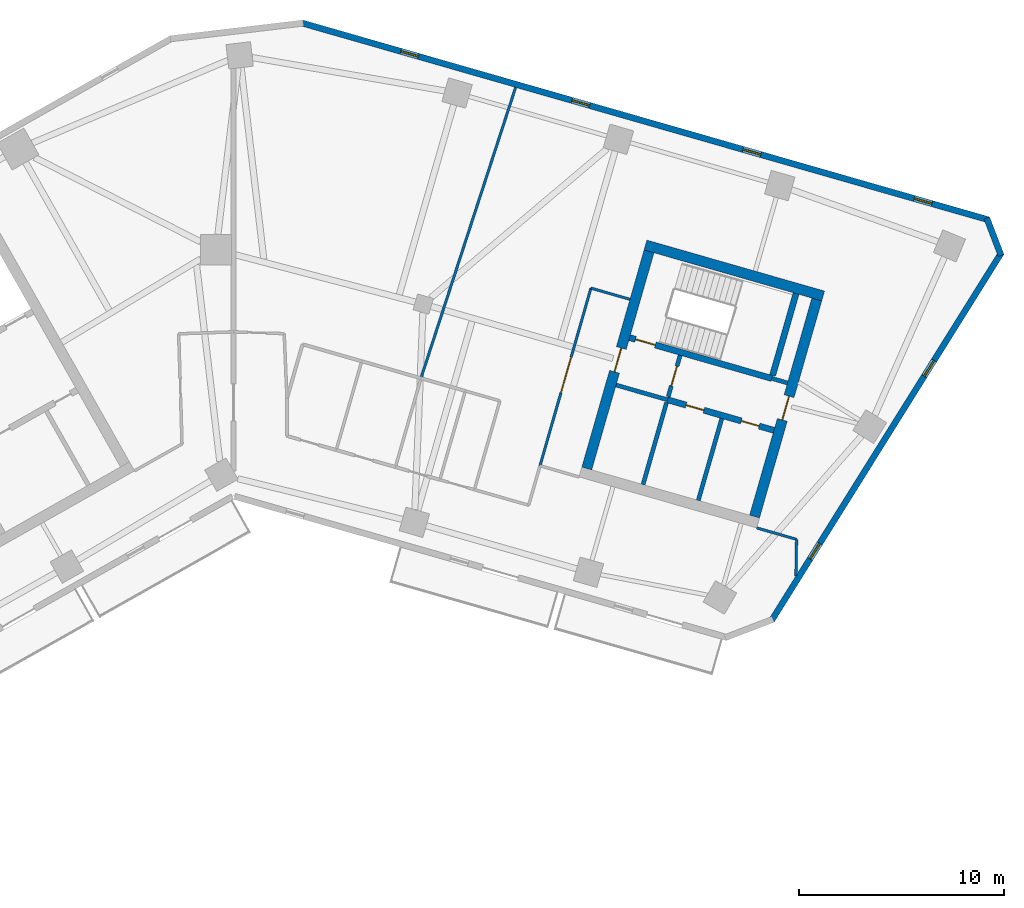
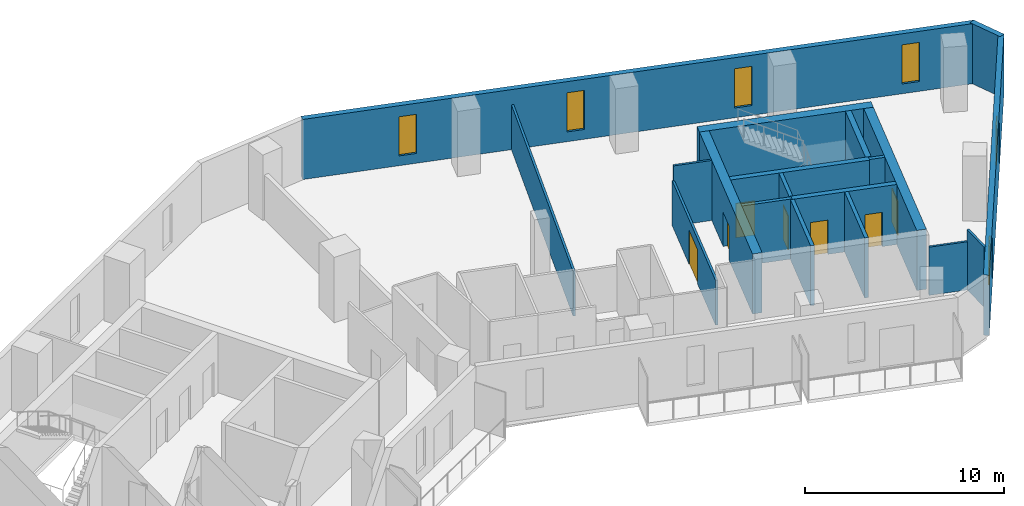
# One storey, part 6 of 9: 19 walls, 7 doors, 6 windows, 13 openings.
"""IFC4 building model written with IfcOpenShell, lengths in metres."""

from ifc_helpers import new_model, si_unit, direction, frame, frame_2d, origin, place, context, subcontext, project, spatial, rectangle, extrude, material, layer, layer_set, type_object, element, fill, save


model = new_model("IFC4")

# Units and contexts
model_context = context("Model", 3, precision=1e-05, world=origin(), true_north=direction((0.0, 1.0)))
body_context = subcontext(model_context, "Body", "Model", "MODEL_VIEW")
ifc_project = project(units=[si_unit("LENGTHUNIT", "METRE"), si_unit("AREAUNIT", "SQUARE_METRE"), si_unit("VOLUMEUNIT", "CUBIC_METRE"), si_unit("PLANEANGLEUNIT", "RADIAN"), si_unit("MASSUNIT", "GRAM", prefix="KILO")], contexts=[model_context])

# Site, building, storey
site_placement = place(None, origin())
site = spatial("IfcSite", under=ifc_project, at=site_placement, CompositionType="ELEMENT")
building_placement = place(site_placement, origin())
building = spatial("IfcBuilding", under=site, at=building_placement, Name="Binnacle Exchange Tower", CompositionType="ELEMENT")
storey_placement = place(building_placement, frame((0.0, 0.0, 182.89990234375)))
storey = spatial("IfcBuildingStorey", under=building, at=storey_placement, Name="L39", CompositionType="ELEMENT", Elevation=182.89990234375)

# Wall
ifc_material_1 = material(Name="Gypsum partition fire rated")
ifc_layer_1 = layer(ifc_material_1, 0.199951171875)
ifc_layer_set_1 = layer_set([ifc_layer_1], Name="Core partition 200")
wall_type_1 = type_object("IfcWallType", Name="Core partition 200", PredefinedType="PARTITIONING", material=ifc_layer_set_1)
wall_1_placement = place(storey_placement, frame((22.63720703125, 47.787353515625, 0.0), z_axis=(0.0, 0.0, 1.0), x_axis=(0.275614546295, 0.961268236171, 0.0)))
element("IfcWall", 1, at=wall_1_placement, inside=storey, type_object=wall_type_1, Name="Core wall CRWD10", PredefinedType="PARTITIONING", context=body_context, shape_type="SweptSolid", body=[
    extrude(rectangle(XDim=4.14990234375, YDim=0.199951171875, at=frame_2d((2.074951171875, 0.0))), origin(), (0.0, 0.0, 1.0), 3.68017578125),
])

# Wall, openings, doors
ifc_material_2 = material(Name="Concrete C70/85", Category="concrete")
ifc_layer_2 = layer(ifc_material_2, 0.300048828125)
ifc_layer_set_2 = layer_set([ifc_layer_2], Name="Core wall - front 300")
wall_type_2 = type_object("IfcWallType", Name="Core wall - front 300", PredefinedType="SOLIDWALL", material=ifc_layer_set_2)
wall_2_placement = place(storey_placement, frame((21.130859375, 52.6923828125, 0.0), z_axis=(0.0, 0.0, 1.0), x_axis=(0.961271043721, -0.27560475414, 0.0)))
wall_2 = element("IfcWall", 2, at=wall_2_placement, inside=storey, type_object=wall_type_2, Name="Core wall CRWD3", PredefinedType="SOLIDWALL", context=body_context, shape_type="SweptSolid", body=[
    extrude(rectangle(XDim=5.400146484375, YDim=0.300048828125, at=frame_2d((2.7001953125, 0.0))), origin(), (0.0, 0.0, 1.0), 3.68017578125),
])
opening_1_placement = place(wall_2_placement, frame((0.949951171875, 0.0, 0.0)))
opening_1 = element("IfcOpeningElement", 3, at=opening_1_placement, cuts=wall_2, Name="Opening DD10", PredefinedType="OPENING", context=body_context, shape_type="SweptSolid", body=[
    extrude(rectangle(XDim=0.89990234375, YDim=2.10009765625, at=frame_2d((0.449951171875, 1.050048828125))), frame((0.0, 0.159912109375, 0.0), z_axis=(0.0, -1.0, 0.0), x_axis=(1.0, 0.0, 0.0)), (0.0, 0.0, 1.0), 0.320068359375),
])
opening_2_placement = place(wall_2_placement, frame((3.75, 0.0, 0.0)))
opening_2 = element("IfcOpeningElement", 4, at=opening_2_placement, cuts=wall_2, Name="Opening DD11", PredefinedType="OPENING", context=body_context, shape_type="SweptSolid", body=[
    extrude(rectangle(XDim=0.89990234375, YDim=2.10009765625, at=frame_2d((0.449951171875, 1.050048828125))), frame((0.0, 0.159912109375, 0.0), z_axis=(0.0, -1.0, 0.0), x_axis=(1.0, 0.0, 0.0)), (0.0, 0.0, 1.0), 0.320068359375),
])
ifc_material_3 = material(Name="Steel door leaf", Category="steel")
door_type_1 = type_object("IfcDoorType", Name="Fire door 900", OperationType="NOTDEFINED", PredefinedType="DOOR", material=ifc_material_3)
door_1_placement = place(opening_1_placement, frame((0.89990234375, 0.0, 0.0), z_axis=(0.0, 0.0, 1.0), x_axis=(-1.0, 0.0, 0.0)))
door_1 = element("IfcDoor", 5, at=door_1_placement, inside=storey, type_object=door_type_1, Name="Core room door IT STORE", OperationType="SINGLE_SWING_RIGHT", OverallHeight=2.10009765625, OverallWidth=0.89990234375, PredefinedType="DOOR", context=body_context, shape_type="SweptSolid", body=[
    extrude(rectangle(XDim=0.89990234375, YDim=2.10009765625, at=frame_2d((0.449951171875, 1.050048828125))), frame((0.0, 0.02490234375, 0.0), z_axis=(0.0, -1.0, 0.0), x_axis=(1.0, 0.0, 0.0)), (0.0, 0.0, 1.0), 0.050048828125),
])
fill(opening_1, door_1)
door_2_placement = place(opening_2_placement, frame((0.89990234375, 0.0, 0.0), z_axis=(0.0, 0.0, 1.0), x_axis=(-1.0, 0.0, 0.0)))
door_2 = element("IfcDoor", 6, at=door_2_placement, inside=storey, type_object=door_type_1, Name="Core room door UPS CUPBOARD", OperationType="SINGLE_SWING_LEFT", OverallHeight=2.10009765625, OverallWidth=0.89990234375, PredefinedType="DOOR", context=body_context, shape_type="SweptSolid", body=[
    extrude(rectangle(XDim=0.89990234375, YDim=2.10009765625, at=frame_2d((0.449951171875, 1.050048828125))), frame((0.0, 0.02490234375, 0.0), z_axis=(0.0, -1.0, 0.0), x_axis=(1.0, 0.0, 0.0)), (0.0, 0.0, 1.0), 0.050048828125),
])
fill(opening_2, door_2)

# Wall
ifc_layer_3 = layer(ifc_material_2, 0.5)
ifc_layer_set_3 = layer_set([ifc_layer_3], Name="Core wall - outer 500")
wall_type_3 = type_object("IfcWallType", Name="Core wall - outer 500", PredefinedType="SOLIDWALL", material=ifc_layer_set_3)
wall_3_placement = place(storey_placement, frame((20.066650390625, 60.227783203125, 0.0), z_axis=(0.0, 0.0, 1.0), x_axis=(0.96126248289, -0.275634611374, 0.0)))
element("IfcWall", 7, at=wall_3_placement, inside=storey, type_object=wall_type_3, Name="Core wall CRWD6", PredefinedType="SOLIDWALL", context=body_context, shape_type="SweptSolid", body=[
    extrude(rectangle(XDim=9.0, YDim=0.5, at=frame_2d((4.5, 0.0))), origin(), (0.0, 0.0, 1.0), 3.68017578125),
])

# Wall, opening, door
wall_4_placement = place(storey_placement, frame((17.2060546875, 49.344482421875, 0.0), z_axis=(0.0, 0.0, 1.0), x_axis=(0.275632651182, 0.961263044958, 0.0)))
wall_4 = element("IfcWall", 8, at=wall_4_placement, inside=storey, type_object=wall_type_3, Name="Core wall CRWD7", PredefinedType="SOLIDWALL", context=body_context, shape_type="SweptSolid", body=[
    extrude(rectangle(XDim=11.0, YDim=0.5, at=frame_2d((5.5, 0.0))), origin(), (0.0, 0.0, 1.0), 3.68017578125),
])
opening_3_placement = place(wall_4_placement, frame((4.89990234375, 0.0, 0.0)))
opening_3 = element("IfcOpeningElement", 9, at=opening_3_placement, cuts=wall_4, Name="Opening DD5", PredefinedType="OPENING", context=body_context, shape_type="SweptSolid", body=[
    extrude(rectangle(XDim=1.199951171875, YDim=2.10009765625, at=frame_2d((0.60009765625, 1.050048828125))), frame((0.0, 0.260009765625, 0.0), z_axis=(0.0, -1.0, 0.0), x_axis=(1.0, 0.0, 0.0)), (0.0, 0.0, 1.0), 0.52001953125),
])
door_type_2 = type_object("IfcDoorType", Name="Fire door 1200", OperationType="NOTDEFINED", PredefinedType="DOOR", material=ifc_material_3)
door_3_placement = place(opening_3_placement, origin())
door_3 = element("IfcDoor", 10, at=door_3_placement, inside=storey, type_object=door_type_2, Name="Vestibule exit door VEST-W", OperationType="SINGLE_SWING_LEFT", OverallHeight=2.10009765625, OverallWidth=1.199951171875, PredefinedType="DOOR", context=body_context, shape_type="SweptSolid", body=[
    extrude(rectangle(XDim=1.199951171875, YDim=2.10009765625, at=frame_2d((0.60009765625, 1.050048828125))), frame((0.0, 0.02490234375, 0.0), z_axis=(0.0, -1.0, 0.0), x_axis=(1.0, 0.0, 0.0)), (0.0, 0.0, 1.0), 0.050048828125),
])
fill(opening_3, door_3)

wall_5_placement = place(storey_placement, frame((25.376708984375, 47.001708984375, 0.0), z_axis=(0.0, 0.0, 1.0), x_axis=(0.275632651182, 0.961263044958, 0.0)))
wall_5 = element("IfcWall", 11, at=wall_5_placement, inside=storey, type_object=wall_type_3, Name="Core wall CRWD12", PredefinedType="SOLIDWALL", context=body_context, shape_type="SweptSolid", body=[
    extrude(rectangle(XDim=11.0, YDim=0.5, at=frame_2d((5.5, 0.0))), origin(), (0.0, 0.0, 1.0), 3.68017578125),
])
opening_4_placement = place(wall_5_placement, frame((4.89990234375, 0.0, 0.0)))
opening_4 = element("IfcOpeningElement", 12, at=opening_4_placement, cuts=wall_5, Name="Opening DD6", PredefinedType="OPENING", context=body_context, shape_type="SweptSolid", body=[
    extrude(rectangle(XDim=1.199951171875, YDim=2.10009765625, at=frame_2d((0.60009765625, 1.050048828125))), frame((0.0, 0.260009765625, 0.0), z_axis=(0.0, -1.0, 0.0), x_axis=(1.0, 0.0, 0.0)), (0.0, 0.0, 1.0), 0.52001953125),
])
door_4_placement = place(opening_4_placement, frame((1.199951171875, 0.0, 0.0), z_axis=(0.0, 0.0, 1.0), x_axis=(-1.0, 0.0, 0.0)))
door_4 = element("IfcDoor", 13, at=door_4_placement, inside=storey, type_object=door_type_2, Name="Core passage exit door", OperationType="SINGLE_SWING_RIGHT", OverallHeight=2.10009765625, OverallWidth=1.199951171875, PredefinedType="DOOR", context=body_context, shape_type="SweptSolid", body=[
    extrude(rectangle(XDim=1.199951171875, YDim=2.10009765625, at=frame_2d((0.60009765625, 1.050048828125))), frame((0.0, 0.02490234375, 0.0), z_axis=(0.0, -1.0, 0.0), x_axis=(1.0, 0.0, 0.0)), (0.0, 0.0, 1.0), 0.050048828125),
])
fill(opening_4, door_4)

ifc_layer_4 = layer(ifc_material_2, 0.300048828125)
ifc_layer_set_4 = layer_set([ifc_layer_4], Name="Core wall - stair 300")
wall_type_4 = type_object("IfcWallType", Name="Core wall - stair 300", PredefinedType="SOLIDWALL", material=ifc_layer_set_4)
wall_6_placement = place(storey_placement, frame((19.293212890625, 55.71630859375, 0.0), z_axis=(0.0, 0.0, 1.0), x_axis=(0.96125862491, -0.275648065539, 0.0)))
wall_6 = element("IfcWall", 14, at=wall_6_placement, inside=storey, type_object=wall_type_4, Name="Core wall CRWD4", PredefinedType="SOLIDWALL", context=body_context, shape_type="SweptSolid", body=[
    extrude(rectangle(XDim=7.199951171875, YDim=0.300048828125, at=frame_2d((3.60009765625, 0.0))), origin(), (0.0, 0.0, 1.0), 3.68017578125),
])
opening_5_placement = place(wall_6_placement, frame((0.300048828125, 0.0, 0.0)))
opening_5 = element("IfcOpeningElement", 15, at=opening_5_placement, cuts=wall_6, Name="Opening DD1", PredefinedType="OPENING", context=body_context, shape_type="SweptSolid", body=[
    extrude(rectangle(XDim=1.0, YDim=2.10009765625, at=frame_2d((0.5, 1.050048828125))), frame((0.0, 0.159912109375, 0.0), z_axis=(0.0, -1.0, 0.0), x_axis=(1.0, 0.0, 0.0)), (0.0, 0.0, 1.0), 0.320068359375),
])
door_type_3 = type_object("IfcDoorType", Name="Fire door 1000", OperationType="NOTDEFINED", PredefinedType="DOOR", material=ifc_material_3)
door_5_placement = place(opening_5_placement, origin())
door_5 = element("IfcDoor", 16, at=door_5_placement, inside=storey, type_object=door_type_3, Name="Stair door ST-D1", OperationType="SINGLE_SWING_LEFT", OverallHeight=2.10009765625, OverallWidth=1.0, PredefinedType="DOOR", context=body_context, shape_type="SweptSolid", body=[
    extrude(rectangle(XDim=1.0, YDim=2.10009765625, at=frame_2d((0.5, 1.050048828125))), frame((0.0, 0.02490234375, 0.0), z_axis=(0.0, -1.0, 0.0), x_axis=(1.0, 0.0, 0.0)), (0.0, 0.0, 1.0), 0.050048828125),
])
fill(opening_5, door_5)

# Wall
wall_7_placement = place(storey_placement, frame((26.255615234375, 53.875732421875, 0.0), z_axis=(0.0, 0.0, 1.0), x_axis=(0.275614546295, 0.961268236171, 0.0)))
element("IfcWall", 17, at=wall_7_placement, inside=storey, type_object=wall_type_4, Name="Core wall CRWD11", PredefinedType="SOLIDWALL", context=body_context, shape_type="SweptSolid", body=[
    extrude(rectangle(XDim=4.14990234375, YDim=0.300048828125, at=frame_2d((2.074951171875, 0.0))), origin(), (0.0, 0.0, 1.0), 3.68017578125),
])

# Wall, openings, windows
ifc_material_4 = material(Name="Bronze aluminium cladding", Category="aluminium")
ifc_layer_5 = layer(ifc_material_4, 0.300048828125)
ifc_layer_set_5 = layer_set([ifc_layer_5], Name="External wall - spandrel 300")
wall_type_5 = type_object("IfcWallType", Name="External wall - spandrel 300", PredefinedType="STANDARD", material=ifc_layer_set_5)
wall_8_placement = place(storey_placement, frame((37.39892578125, 59.850830078125, 0.0), z_axis=(0.0, 0.0, 1.0), x_axis=(-0.529919986982, -0.848047644532, 0.0)))
wall_8 = element("IfcWall", 18, at=wall_8_placement, inside=storey, type_object=wall_type_5, Name="External wall EW-G04 L39", PredefinedType="STANDARD", context=body_context, shape_type="SweptSolid", body=[
    extrude(rectangle(XDim=21.125, YDim=0.300048828125, at=frame_2d((10.5625, 0.0))), origin(), (0.0, 0.0, 1.0), 3.68017578125),
])
opening_6_placement = place(wall_8_placement, frame((16.687255859375, 0.0, 0.60009765625)))
opening_6 = element("IfcOpeningElement", 19, at=opening_6_placement, cuts=wall_8, Name="Opening WS3", PredefinedType="OPENING", context=body_context, shape_type="SweptSolid", body=[
    extrude(rectangle(XDim=0.89990234375, YDim=2.39990234375, at=frame_2d((0.449951171875, 1.199951171875))), frame((0.0, 0.159912109375, 0.0), z_axis=(0.0, -1.0, 0.0), x_axis=(1.0, 0.0, 0.0)), (0.0, 0.0, 1.0), 0.320068359375),
])
opening_7_placement = place(wall_8_placement, frame((6.187255859375, 0.0, 0.60009765625)))
opening_7 = element("IfcOpeningElement", 20, at=opening_7_placement, cuts=wall_8, Name="Opening WS3", PredefinedType="OPENING", context=body_context, shape_type="SweptSolid", body=[
    extrude(rectangle(XDim=0.89990234375, YDim=2.39990234375, at=frame_2d((0.449951171875, 1.199951171875))), frame((0.0, 0.159912109375, 0.0), z_axis=(0.0, -1.0, 0.0), x_axis=(1.0, 0.0, 0.0)), (0.0, 0.0, 1.0), 0.320068359375),
])
ifc_material_5 = material(Name="Bronze anodised aluminium frame", Category="aluminium")
window_type = type_object("IfcWindowType", Name="WS3 WINDOW 900x2400", PartitioningType="SINGLE_PANEL", PredefinedType="WINDOW", material=ifc_material_5)
window_1_placement = place(opening_6_placement, origin())
window_1 = element("IfcWindow", 21, at=window_1_placement, inside=storey, type_object=window_type, Name="Window WS3 L39", OverallHeight=2.39990234375, OverallWidth=0.89990234375, PartitioningType="SINGLE_PANEL", PredefinedType="WINDOW", context=body_context, shape_type="SweptSolid", body=[
    extrude(rectangle(XDim=0.89990234375, YDim=2.39990234375, at=frame_2d((0.449951171875, 1.199951171875))), frame((0.0, 0.030029296875, 0.0), z_axis=(0.0, -1.0, 0.0), x_axis=(1.0, 0.0, 0.0)), (0.0, 0.0, 1.0), 0.06005859375),
])
fill(opening_6, window_1)
window_2_placement = place(opening_7_placement, origin())
window_2 = element("IfcWindow", 22, at=window_2_placement, inside=storey, type_object=window_type, Name="Window WS3 L39", OverallHeight=2.39990234375, OverallWidth=0.89990234375, PartitioningType="SINGLE_PANEL", PredefinedType="WINDOW", context=body_context, shape_type="SweptSolid", body=[
    extrude(rectangle(XDim=0.89990234375, YDim=2.39990234375, at=frame_2d((0.449951171875, 1.199951171875))), frame((0.0, 0.030029296875, 0.0), z_axis=(0.0, -1.0, 0.0), x_axis=(1.0, 0.0, 0.0)), (0.0, 0.0, 1.0), 0.06005859375),
])
fill(opening_7, window_2)

# Wall
wall_9_placement = place(storey_placement, frame((36.685546875, 61.542724609375, 0.0), z_axis=(0.0, 0.0, 1.0), x_axis=(0.358284408222, -0.933612490718, 0.0)))
element("IfcWall", 23, at=wall_9_placement, inside=storey, type_object=wall_type_5, Name="External wall EW-G05 L39", PredefinedType="STANDARD", context=body_context, shape_type="SweptSolid", body=[
    extrude(rectangle(XDim=1.955078125, YDim=0.300048828125, at=frame_2d((0.9775390625, 0.0))), origin(), (0.0, 0.0, 1.0), 3.68017578125),
])

# Wall, openings, windows
wall_10_placement = place(storey_placement, frame((3.33544921875, 71.043701171875, 0.0), z_axis=(0.0, 0.0, 1.0), x_axis=(0.961261395375, -0.275638404002, 0.0)))
wall_10 = element("IfcWall", 24, at=wall_10_placement, inside=storey, type_object=wall_type_5, Name="External wall EW-G06 L39", PredefinedType="STANDARD", context=body_context, shape_type="SweptSolid", body=[
    extrude(rectangle(XDim=34.796630859375, YDim=0.300048828125, at=frame_2d((17.3984375, 0.0))), origin(), (0.0, 0.0, 1.0), 3.68017578125),
])
opening_8_placement = place(wall_10_placement, frame((31.01953125, 0.0, 0.60009765625)))
opening_8 = element("IfcOpeningElement", 25, at=opening_8_placement, cuts=wall_10, Name="Opening WS3", PredefinedType="OPENING", context=body_context, shape_type="SweptSolid", body=[
    extrude(rectangle(XDim=0.89990234375, YDim=2.39990234375, at=frame_2d((0.449951171875, 1.199951171875))), frame((0.0, 0.159912109375, 0.0), z_axis=(0.0, -1.0, 0.0), x_axis=(1.0, 0.0, 0.0)), (0.0, 0.0, 1.0), 0.320068359375),
])
opening_9_placement = place(wall_10_placement, frame((22.3466796875, 0.0, 0.60009765625)))
opening_9 = element("IfcOpeningElement", 26, at=opening_9_placement, cuts=wall_10, Name="Opening WS3", PredefinedType="OPENING", context=body_context, shape_type="SweptSolid", body=[
    extrude(rectangle(XDim=0.89990234375, YDim=2.39990234375, at=frame_2d((0.449951171875, 1.199951171875))), frame((0.0, 0.159912109375, 0.0), z_axis=(0.0, -1.0, 0.0), x_axis=(1.0, 0.0, 0.0)), (0.0, 0.0, 1.0), 0.320068359375),
])
opening_10_placement = place(wall_10_placement, frame((13.673583984375, 0.0, 0.60009765625)))
opening_10 = element("IfcOpeningElement", 27, at=opening_10_placement, cuts=wall_10, Name="Opening WS3", PredefinedType="OPENING", context=body_context, shape_type="SweptSolid", body=[
    extrude(rectangle(XDim=0.89990234375, YDim=2.39990234375, at=frame_2d((0.449951171875, 1.199951171875))), frame((0.0, 0.159912109375, 0.0), z_axis=(0.0, -1.0, 0.0), x_axis=(1.0, 0.0, 0.0)), (0.0, 0.0, 1.0), 0.320068359375),
])
opening_11_placement = place(wall_10_placement, frame((5.000732421875, 0.0, 0.60009765625)))
opening_11 = element("IfcOpeningElement", 28, at=opening_11_placement, cuts=wall_10, Name="Opening WS3", PredefinedType="OPENING", context=body_context, shape_type="SweptSolid", body=[
    extrude(rectangle(XDim=0.89990234375, YDim=2.39990234375, at=frame_2d((0.449951171875, 1.199951171875))), frame((0.0, 0.159912109375, 0.0), z_axis=(0.0, -1.0, 0.0), x_axis=(1.0, 0.0, 0.0)), (0.0, 0.0, 1.0), 0.320068359375),
])
window_3_placement = place(opening_8_placement, origin())
window_3 = element("IfcWindow", 29, at=window_3_placement, inside=storey, type_object=window_type, Name="Window WS3 L39", OverallHeight=2.39990234375, OverallWidth=0.89990234375, PartitioningType="SINGLE_PANEL", PredefinedType="WINDOW", context=body_context, shape_type="SweptSolid", body=[
    extrude(rectangle(XDim=0.89990234375, YDim=2.39990234375, at=frame_2d((0.449951171875, 1.199951171875))), frame((0.0, 0.030029296875, 0.0), z_axis=(0.0, -1.0, 0.0), x_axis=(1.0, 0.0, 0.0)), (0.0, 0.0, 1.0), 0.06005859375),
])
fill(opening_8, window_3)
window_4_placement = place(opening_9_placement, origin())
window_4 = element("IfcWindow", 30, at=window_4_placement, inside=storey, type_object=window_type, Name="Window WS3 L39", OverallHeight=2.39990234375, OverallWidth=0.89990234375, PartitioningType="SINGLE_PANEL", PredefinedType="WINDOW", context=body_context, shape_type="SweptSolid", body=[
    extrude(rectangle(XDim=0.89990234375, YDim=2.39990234375, at=frame_2d((0.449951171875, 1.199951171875))), frame((0.0, 0.030029296875, 0.0), z_axis=(0.0, -1.0, 0.0), x_axis=(1.0, 0.0, 0.0)), (0.0, 0.0, 1.0), 0.06005859375),
])
fill(opening_9, window_4)
window_5_placement = place(opening_10_placement, origin())
window_5 = element("IfcWindow", 31, at=window_5_placement, inside=storey, type_object=window_type, Name="Window WS3 L39", OverallHeight=2.39990234375, OverallWidth=0.89990234375, PartitioningType="SINGLE_PANEL", PredefinedType="WINDOW", context=body_context, shape_type="SweptSolid", body=[
    extrude(rectangle(XDim=0.89990234375, YDim=2.39990234375, at=frame_2d((0.449951171875, 1.199951171875))), frame((0.0, 0.030029296875, 0.0), z_axis=(0.0, -1.0, 0.0), x_axis=(1.0, 0.0, 0.0)), (0.0, 0.0, 1.0), 0.06005859375),
])
fill(opening_10, window_5)
window_6_placement = place(opening_11_placement, origin())
window_6 = element("IfcWindow", 32, at=window_6_placement, inside=storey, type_object=window_type, Name="Window WS3 L39", OverallHeight=2.39990234375, OverallWidth=0.89990234375, PartitioningType="SINGLE_PANEL", PredefinedType="WINDOW", context=body_context, shape_type="SweptSolid", body=[
    extrude(rectangle(XDim=0.89990234375, YDim=2.39990234375, at=frame_2d((0.449951171875, 1.199951171875))), frame((0.0, 0.030029296875, 0.0), z_axis=(0.0, -1.0, 0.0), x_axis=(1.0, 0.0, 0.0)), (0.0, 0.0, 1.0), 0.06005859375),
])
fill(opening_11, window_6)

# Wall, opening, door
ifc_material_6 = material(Name="Masonry block wall", Category="masonry")
ifc_layer_6 = layer(ifc_material_6, 0.199951171875)
ifc_layer_set_6 = layer_set([ifc_layer_6], Name="Fire wall - vestibule 200")
wall_type_6 = type_object("IfcWallType", Name="Fire wall - vestibule 200", PredefinedType="PARTITIONING", material=ifc_layer_set_6)
wall_11_placement = place(storey_placement, frame((21.172119140625, 52.836669921875, 0.0), z_axis=(0.0, 0.0, 1.0), x_axis=(0.275657676022, 0.961255868981, 0.0)))
wall_11 = element("IfcWall", 33, at=wall_11_placement, inside=storey, type_object=wall_type_6, Name="Core wall CRWD9", PredefinedType="PARTITIONING", context=body_context, shape_type="SweptSolid", body=[
    extrude(rectangle(XDim=2.099853515625, YDim=0.199951171875, at=frame_2d((1.0498046875, 0.0))), origin(), (0.0, 0.0, 1.0), 3.68017578125),
])
opening_12_placement = place(wall_11_placement, frame((0.550048828125, 0.0, 0.0)))
opening_12 = element("IfcOpeningElement", 34, at=opening_12_placement, cuts=wall_11, Name="Opening DD3", PredefinedType="OPENING", context=body_context, shape_type="SweptSolid", body=[
    extrude(rectangle(XDim=1.0, YDim=2.10009765625, at=frame_2d((0.5, 1.050048828125))), frame((0.0, 0.10986328125, 0.0), z_axis=(0.0, -1.0, 0.0), x_axis=(1.0, 0.0, 0.0)), (0.0, 0.0, 1.0), 0.219970703125),
])
door_6_placement = place(opening_12_placement, origin())
door_6 = element("IfcDoor", 35, at=door_6_placement, inside=storey, type_object=door_type_3, Name="Vestibule door VEST-W", OperationType="SINGLE_SWING_RIGHT", OverallHeight=2.10009765625, OverallWidth=1.0, PredefinedType="DOOR", context=body_context, shape_type="SweptSolid", body=[
    extrude(rectangle(XDim=1.0, YDim=2.10009765625, at=frame_2d((0.5, 1.050048828125))), frame((0.0, 0.02490234375, 0.0), z_axis=(0.0, -1.0, 0.0), x_axis=(1.0, 0.0, 0.0)), (0.0, 0.0, 1.0), 0.050048828125),
])
fill(opening_12, door_6)

# Wall
ifc_material_7 = material(Name="Gypsum partition")
ifc_layer_7 = layer(ifc_material_7, 0.125)
ifc_layer_set_7 = layer_set([ifc_layer_7], Name="Partition 125")
wall_type_7 = type_object("IfcWallType", Name="Partition 125", PredefinedType="PARTITIONING", material=ifc_layer_set_7)
wall_12_placement = place(storey_placement, frame((9.12890625, 53.740966796875, 0.0), z_axis=(0.0, 0.0, 1.0), x_axis=(0.309576741849, 0.950874461171, 0.0)))
element("IfcWall", 36, at=wall_12_placement, inside=storey, type_object=wall_type_7, Name="Partition W24", PredefinedType="PARTITIONING", context=body_context, shape_type="SweptSolid", body=[
    extrude(rectangle(XDim=14.894775390625, YDim=0.125, at=frame_2d((7.447265625, 0.0))), origin(), (0.0, 0.0, 1.0), 2.748046875),
])

# Wall, opening, door
wall_13_placement = place(storey_placement, frame((14.927978515625, 49.47802734375, 0.0), z_axis=(0.0, 0.0, 1.0), x_axis=(0.275674053528, 0.961251172281, 0.0)))
wall_13 = element("IfcWall", 37, at=wall_13_placement, inside=storey, type_object=wall_type_7, Name="Partition W32", PredefinedType="PARTITIONING", context=body_context, shape_type="SweptSolid", body=[
    extrude(rectangle(XDim=8.99951171875, YDim=0.125, at=frame_2d((4.499755859375, 0.0))), origin(), (0.0, 0.0, 1.0), 2.748046875),
])
opening_13_placement = place(wall_13_placement, frame((3.699951171875, 0.0, 0.0)))
opening_13 = element("IfcOpeningElement", 38, at=opening_13_placement, cuts=wall_13, Name="Opening DL38-09", PredefinedType="OPENING", context=body_context, shape_type="SweptSolid", body=[
    extrude(rectangle(XDim=1.800048828125, YDim=2.10009765625, at=frame_2d((0.89990234375, 1.050048828125))), frame((0.0, 0.072509765625, 0.0), z_axis=(0.0, -1.0, 0.0), x_axis=(1.0, 0.0, 0.0)), (0.0, 0.0, 1.0), 0.14501953125),
])
ifc_material_8 = material(Name="Timber door leaf", Category="wood")
door_type_4 = type_object("IfcDoorType", Name="Double door 1800", OperationType="NOTDEFINED", PredefinedType="DOOR", material=ifc_material_8)
door_7_placement = place(opening_13_placement, origin())
door_7 = element("IfcDoor", 39, at=door_7_placement, inside=storey, type_object=door_type_4, Name="Door DL38-09", OperationType="DOUBLE_DOOR_SINGLE_SWING", OverallHeight=2.10009765625, OverallWidth=1.800048828125, PredefinedType="DOOR", context=body_context, shape_type="SweptSolid", body=[
    extrude(rectangle(XDim=1.800048828125, YDim=2.10009765625, at=frame_2d((0.89990234375, 1.050048828125))), frame((0.0, 0.02490234375, 0.0), z_axis=(0.0, -1.0, 0.0), x_axis=(1.0, 0.0, 0.0)), (0.0, 0.0, 1.0), 0.050048828125),
])
fill(opening_13, door_7)

# Walls
wall_14_placement = place(storey_placement, frame((17.408935546875, 58.12890625, 0.0), z_axis=(0.0, 0.0, 1.0), x_axis=(0.961253165474, -0.275667103345, 0.0)))
element("IfcWall", 40, at=wall_14_placement, inside=storey, type_object=wall_type_7, Name="Partition W33", PredefinedType="PARTITIONING", context=body_context, shape_type="SweptSolid", body=[
    extrude(rectangle(XDim=1.976806640625, YDim=0.125, at=frame_2d((0.98828125, 0.0))), origin(), (0.0, 0.0, 1.0), 3.68017578125),
])
wall_15_placement = place(storey_placement, frame((25.47900390625, 46.451904296875, 0.0), z_axis=(0.0, 0.0, 1.0), x_axis=(0.961245725795, -0.275693044238, 0.0)))
element("IfcWall", 41, at=wall_15_placement, inside=storey, type_object=wall_type_7, Name="Partition W34", PredefinedType="PARTITIONING", context=body_context, shape_type="SweptSolid", body=[
    extrude(rectangle(XDim=2.0234375, YDim=0.125, at=frame_2d((1.01171875, 0.0))), origin(), (0.0, 0.0, 1.0), 2.9521484375),
])
wall_16_placement = place(storey_placement, frame((27.39111328125, 44.116943359375, 0.0), z_axis=(0.0, 0.0, 1.0), x_axis=(0.018543314717, 0.999828057958, 0.0)))
element("IfcWall", 42, at=wall_16_placement, inside=storey, type_object=wall_type_7, Name="Partition W35", PredefinedType="PARTITIONING", context=body_context, shape_type="SweptSolid", body=[
    extrude(rectangle(XDim=1.77734375, YDim=0.125, at=frame_2d((0.888671875, 0.0))), origin(), (0.0, 0.0, 1.0), 3.68017578125),
])
ifc_layer_8 = layer(ifc_material_6, 0.199951171875)
ifc_layer_set_8 = layer_set([ifc_layer_8], Name="Riser wall 200")
wall_type_8 = type_object("IfcWallType", Name="Riser wall 200", PredefinedType="SOLIDWALL", material=ifc_layer_set_8)
wall_17_placement = place(storey_placement, frame((18.631591796875, 53.4091796875, 0.0), z_axis=(0.0, 0.0, 1.0), x_axis=(0.961247078216, -0.275688328772, 0.0)))
element("IfcWall", 43, at=wall_17_placement, inside=storey, type_object=wall_type_8, Name="Core wall CRWD2", PredefinedType="SOLIDWALL", context=body_context, shape_type="SweptSolid", body=[
    extrude(rectangle(XDim=2.60009765625, YDim=0.199951171875, at=frame_2d((1.300048828125, 0.0))), origin(), (0.0, 0.0, 1.0), 3.68017578125),
])
wall_18_placement = place(storey_placement, frame((26.214111328125, 53.731689453125, 0.0), z_axis=(0.0, 0.0, 1.0), x_axis=(0.961200870072, -0.275849392554, 0.0)))
element("IfcWall", 44, at=wall_18_placement, inside=storey, type_object=wall_type_8, Name="Core wall CRWD5", PredefinedType="SOLIDWALL", context=body_context, shape_type="SweptSolid", body=[
    extrude(rectangle(XDim=0.800048828125, YDim=0.199951171875, at=frame_2d((0.39990234375, 0.0))), origin(), (0.0, 0.0, 1.0), 3.68017578125),
])
wall_19_placement = place(storey_placement, frame((19.945556640625, 48.55908203125, 0.0), z_axis=(0.0, 0.0, 1.0), x_axis=(0.275668905258, 0.961252648721, 0.0)))
element("IfcWall", 45, at=wall_19_placement, inside=storey, type_object=wall_type_8, Name="Core wall CRWD8", PredefinedType="SOLIDWALL", context=body_context, shape_type="SweptSolid", body=[
    extrude(rectangle(XDim=4.150146484375, YDim=0.199951171875, at=frame_2d((2.0751953125, 0.0))), origin(), (0.0, 0.0, 1.0), 3.68017578125),
])

save(model, "model.ifc")
